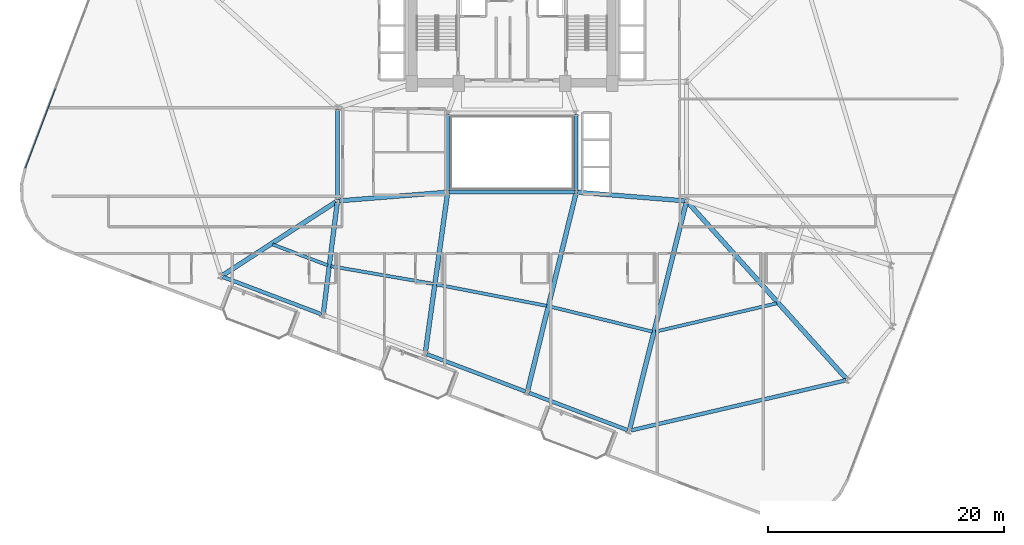
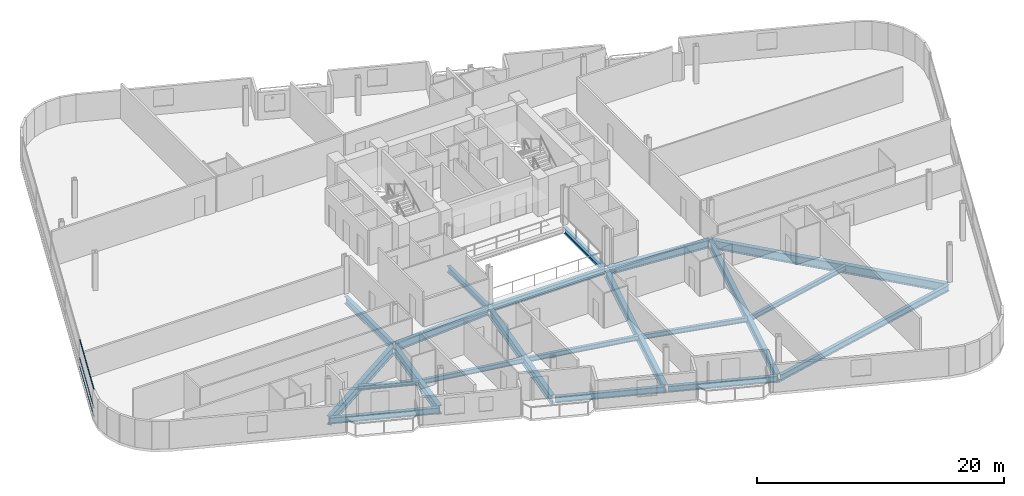
# One storey, part 3 of 26: 21 beams, 3 members, 1 element without a shape of its own.
"""IFC4 building model written with IfcOpenShell, lengths in metres."""

from ifc_helpers import new_model, si_unit, direction, frame, origin, origin_2d, place, context, subcontext, project, spatial, hollow_rectangle, i_section, extrude, material, layer, layer_set, material_profile, profile_set, type_object, element, aggregate, save


model = new_model("IFC4")

# Units and contexts
model_context = context("Model", 3, precision=1e-05, world=origin(), true_north=direction((0.0, 1.0)))
body_context = subcontext(model_context, "Body", "Model", "MODEL_VIEW")
ifc_project = project(units=[si_unit("LENGTHUNIT", "METRE"), si_unit("AREAUNIT", "SQUARE_METRE"), si_unit("VOLUMEUNIT", "CUBIC_METRE"), si_unit("PLANEANGLEUNIT", "RADIAN"), si_unit("MASSUNIT", "GRAM", prefix="KILO")], contexts=[model_context])

# Site, building, storey
site_placement = place(None, origin())
site = spatial("IfcSite", under=ifc_project, at=site_placement, CompositionType="ELEMENT")
building_placement = place(site_placement, origin())
building = spatial("IfcBuilding", under=site, at=building_placement, Name="Varnelok Gate Tower", CompositionType="ELEMENT")
storey_placement = place(building_placement, frame((0.0, 0.0, 109.5)))
storey = spatial("IfcBuildingStorey", under=building, at=storey_placement, Name="L27", CompositionType="ELEMENT", Elevation=109.5)

# Beams
ifc_material_1 = material(Name="Structural Steel ASTM A992 Grade 50", Category="steel")
ifc_material_profile_1 = material_profile(ifc_material_1, i_section(OverallWidth=0.280029296875, OverallDepth=0.462890625, WebThickness=0.0107421875, FlangeThickness=0.017333984375, FilletRadius=0.014892578125, at=origin_2d()), Name="W18X76")
ifc_profile_set_1 = profile_set([ifc_material_profile_1], Name="Structural Steel ASTM A992 Grade 50")
beam_type_1 = type_object("IfcBeamType", Name="BM-JST-W18X76", PredefinedType="JOIST", material=ifc_profile_set_1)
beam_1_placement = place(storey_placement, frame((18.911376953125, 15.11181640625, -0.4814453125), z_axis=(0.935207052986, -0.354101352786, 0.0), x_axis=(0.354101352786, 0.935207052986, 0.0)))
element("IfcBeam", 1, at=beam_1_placement, inside=storey, type_object=beam_type_1, Name="L27 Sector Floor Joist 1", PredefinedType="JOIST", context=body_context, shape_type="SweptSolid", body=[
    extrude(i_section(OverallWidth=0.280029296875, OverallDepth=0.462890625, WebThickness=0.0107421875, FlangeThickness=0.017333984375, FilletRadius=0.014892578125, at=origin_2d()), origin(), (0.0, 0.0, 1.0), 4.992431640625),
])
beam_2_placement = place(storey_placement, frame((23.849365234375, 13.270751953125, -0.4814453125), z_axis=(0.985440255027, -0.170022068484, 0.0), x_axis=(0.170022068484, 0.985440255027, 0.0)))
element("IfcBeam", 2, at=beam_2_placement, inside=storey, type_object=beam_type_1, Name="L27 Sector Floor Joist 2", PredefinedType="JOIST", context=body_context, shape_type="SweptSolid", body=[
    extrude(i_section(OverallWidth=0.280029296875, OverallDepth=0.462890625, WebThickness=0.0107421875, FlangeThickness=0.017333984375, FilletRadius=0.014892578125, at=origin_2d()), origin(), (0.0, 0.0, 1.0), 8.8037109375),
])
beam_3_placement = place(storey_placement, frame((32.80029296875, 11.723388671875, -0.4814453125), z_axis=(0.981678750439, -0.190543514549, 0.0), x_axis=(0.190543514549, 0.981678750439, 0.0)))
element("IfcBeam", 3, at=beam_3_placement, inside=storey, type_object=beam_type_1, Name="L27 Sector Floor Joist 3", PredefinedType="JOIST", context=body_context, shape_type="SweptSolid", body=[
    extrude(i_section(OverallWidth=0.280029296875, OverallDepth=0.462890625, WebThickness=0.0107421875, FlangeThickness=0.017333984375, FilletRadius=0.014892578125, at=origin_2d()), origin(), (0.0, 0.0, 1.0), 9.517333984375),
])
beam_4_placement = place(storey_placement, frame((42.416748046875, 9.85009765625, -0.4814453125), z_axis=(0.971369027211, -0.237575699463, 0.0), x_axis=(0.237575699463, 0.971369027211, 0.0)))
element("IfcBeam", 4, at=beam_4_placement, inside=storey, type_object=beam_type_1, Name="L27 Sector Floor Joist 4", PredefinedType="JOIST", context=body_context, shape_type="SweptSolid", body=[
    extrude(i_section(OverallWidth=0.280029296875, OverallDepth=0.462890625, WebThickness=0.0107421875, FlangeThickness=0.017333984375, FilletRadius=0.014892578125, at=origin_2d()), origin(), (0.0, 0.0, 1.0), 8.935302734375),
])
beam_5_placement = place(storey_placement, frame((51.368408203125, 7.725830078125, -0.4814453125), z_axis=(0.973875869897, 0.227081020854, 0.0), x_axis=(-0.227081020854, 0.973875869897, 0.0)))
element("IfcBeam", 5, at=beam_5_placement, inside=storey, type_object=beam_type_1, Name="L27 Sector Floor Joist 5", PredefinedType="JOIST", context=body_context, shape_type="SweptSolid", body=[
    extrude(i_section(OverallWidth=0.280029296875, OverallDepth=0.462890625, WebThickness=0.0107421875, FlangeThickness=0.017333984375, FilletRadius=0.014892578125, at=origin_2d()), origin(), (0.0, 0.0, 1.0), 10.543701171875),
])
ifc_material_profile_2 = material_profile(ifc_material_1, i_section(OverallWidth=0.35498046875, OverallDepth=0.696044921875, WebThickness=0.015380859375, FlangeThickness=0.02490234375, FilletRadius=0.02001953125, at=origin_2d()), Name="W27X146")
ifc_profile_set_2 = profile_set([ifc_material_profile_2], Name="Structural Steel ASTM A992 Grade 50")
beam_type_2 = type_object("IfcBeamType", Name="BM-PRI-W27X146", PredefinedType="BEAM", material=ifc_profile_set_2)
beam_6_placement = place(storey_placement, frame((24.39990234375, 18.919921875, -0.597900390625), z_axis=(0.0, 1.0, 0.0), x_axis=(-1.0, 0.0, 0.0)))
element("IfcBeam", 6, at=beam_6_placement, inside=storey, type_object=beam_type_2, Name="L27 Core-Atrium Spine Beam 16", PredefinedType="BEAM", context=body_context, shape_type="SweptSolid", body=[
    extrude(i_section(OverallWidth=0.35498046875, OverallDepth=0.696044921875, WebThickness=0.015380859375, FlangeThickness=0.02490234375, FilletRadius=0.02001953125, at=origin_2d()), origin(), (0.0, 0.0, 1.0), 7.64013671875),
])
ifc_material_profile_3 = material_profile(ifc_material_1, i_section(OverallWidth=0.381103515625, OverallDepth=0.77294921875, WebThickness=0.0166015625, FlangeThickness=0.027099609375, FilletRadius=0.02197265625, at=origin_2d()), Name="W30X173")
ifc_profile_set_3 = profile_set([ifc_material_profile_3], Name="Structural Steel ASTM A992 Grade 50")
beam_type_3 = type_object("IfcBeamType", Name="BM-PRI-W30X173", PredefinedType="BEAM", material=ifc_profile_set_3)
for number, where, z_axis, x_axis, name in (
    (7, (24.51953125, 18.8095703125, -0.636474609375), (0.996799206292, 0.07994587128, 0.0), (-0.07994587128, 0.996799206292, 0.0), "L27 Core-Atrium Spine Beam 14"),
    (8, (44.76953125, 19.540283203125, -0.636474609375), (0.996799206292, -0.07994587128, 0.0), (0.07994587128, 0.996799206292, 0.0), "L27 Core-Atrium Spine Beam 18"),
):
    element("IfcBeam", number, at=place(storey_placement, frame(where, z_axis=z_axis, x_axis=x_axis)), inside=storey, type_object=beam_type_3, Name=name, PredefinedType="BEAM", context=body_context, shape_type="SweptSolid", body=[
        extrude(i_section(OverallWidth=0.381103515625, OverallDepth=0.77294921875, WebThickness=0.0166015625, FlangeThickness=0.027099609375, FilletRadius=0.02197265625, at=origin_2d()), origin(), (0.0, 0.0, 1.0), 9.14013671875),
    ])
ifc_material_profile_4 = material_profile(ifc_material_1, i_section(OverallWidth=0.39892578125, OverallDepth=0.85498046875, WebThickness=0.018310546875, FlangeThickness=0.029296875, FilletRadius=0.02392578125, at=origin_2d()), Name="W33X201")
ifc_profile_set_4 = profile_set([ifc_material_profile_4], Name="Structural Steel ASTM A992 Grade 50")
beam_type_4 = type_object("IfcBeamType", Name="BM-PRI-W33X201", PredefinedType="BEAM", material=ifc_profile_set_4)
beam_7_placement = place(storey_placement, frame((24.274169921875, 18.718505859375, -0.677490234375), z_axis=(-0.839398998687, -0.543515704468, 0.0), x_axis=(0.543515704468, -0.839398998687, 0.0)))
element("IfcBeam", 9, at=beam_7_placement, inside=storey, type_object=beam_type_4, Name="L27 Radial Floor Girder 1", PredefinedType="BEAM", context=body_context, shape_type="SweptSolid", body=[
    extrude(i_section(OverallWidth=0.39892578125, OverallDepth=0.85498046875, WebThickness=0.018310546875, FlangeThickness=0.029296875, FilletRadius=0.02392578125, at=origin_2d()), origin(), (0.0, 0.0, 1.0), 11.4453125),
])
beam_8_placement = place(storey_placement, frame((24.38134765625, 18.651123046875, -0.677490234375), z_axis=(-0.124114361033, -0.992267920163, 0.0), x_axis=(0.992267920163, -0.124114361033, 0.0)))
element("IfcBeam", 10, at=beam_8_placement, inside=storey, type_object=beam_type_4, Name="L27 Radial Floor Girder 2", PredefinedType="BEAM", context=body_context, shape_type="SweptSolid", body=[
    extrude(i_section(OverallWidth=0.39892578125, OverallDepth=0.85498046875, WebThickness=0.018310546875, FlangeThickness=0.029296875, FilletRadius=0.02392578125, at=origin_2d()), origin(), (0.0, 0.0, 1.0), 9.43408203125),
])
beam_9_placement = place(storey_placement, frame((33.729248046875, 19.4013671875, -0.677490234375), z_axis=(-0.138054699139, -0.990424605937, 0.0), x_axis=(0.990424605937, -0.138054699139, 0.0)))
element("IfcBeam", 11, at=beam_9_placement, inside=storey, type_object=beam_type_4, Name="L27 Radial Floor Girder 3", PredefinedType="BEAM", context=body_context, shape_type="SweptSolid", body=[
    extrude(i_section(OverallWidth=0.39892578125, OverallDepth=0.85498046875, WebThickness=0.018310546875, FlangeThickness=0.029296875, FilletRadius=0.02392578125, at=origin_2d()), origin(), (0.0, 0.0, 1.0), 13.51611328125),
])
beam_10_placement = place(storey_placement, frame((44.6142578125, 19.404296875, -0.677490234375), z_axis=(-0.238054163128, -0.971251880522, 0.0), x_axis=(0.971251880522, -0.238054163128, 0.0)))
element("IfcBeam", 12, at=beam_10_placement, inside=storey, type_object=beam_type_4, Name="L27 Radial Floor Girder 4", PredefinedType="BEAM", context=body_context, shape_type="SweptSolid", body=[
    extrude(i_section(OverallWidth=0.39892578125, OverallDepth=0.85498046875, WebThickness=0.018310546875, FlangeThickness=0.029296875, FilletRadius=0.02392578125, at=origin_2d()), origin(), (0.0, 0.0, 1.0), 17.160888671875),
])
beam_11_placement = place(storey_placement, frame((53.963623046875, 18.654541015625, -0.677490234375), z_axis=(-0.241818229902, -0.970321567156, 0.0), x_axis=(0.970321567156, -0.241818229902, 0.0)))
element("IfcBeam", 13, at=beam_11_placement, inside=storey, type_object=beam_type_4, Name="L27 Radial Floor Girder 5", PredefinedType="BEAM", context=body_context, shape_type="SweptSolid", body=[
    extrude(i_section(OverallWidth=0.39892578125, OverallDepth=0.85498046875, WebThickness=0.018310546875, FlangeThickness=0.029296875, FilletRadius=0.02392578125, at=origin_2d()), origin(), (0.0, 0.0, 1.0), 19.7802734375),
])
beam_12_placement = place(storey_placement, frame((54.100341796875, 18.6884765625, -0.677490234375), z_axis=(0.668462619128, -0.743745740713, 0.0), x_axis=(0.743745740713, 0.668462619128, 0.0)))
element("IfcBeam", 14, at=beam_12_placement, inside=storey, type_object=beam_type_4, Name="L27 Radial Floor Girder 6", PredefinedType="BEAM", context=body_context, shape_type="SweptSolid", body=[
    extrude(i_section(OverallWidth=0.39892578125, OverallDepth=0.85498046875, WebThickness=0.018310546875, FlangeThickness=0.029296875, FilletRadius=0.02392578125, at=origin_2d()), origin(), (0.0, 0.0, 1.0), 20.099853515625),
])
ifc_material_profile_5 = material_profile(ifc_material_1, i_section(OverallWidth=0.323974609375, OverallDepth=0.611083984375, WebThickness=0.0126953125, FlangeThickness=0.01904296875, FilletRadius=0.01806640625, at=origin_2d()), Name="W24X104")
ifc_profile_set_5 = profile_set([ifc_material_profile_5], Name="Structural Steel ASTM A992 Grade 50")
beam_type_5 = type_object("IfcBeamType", Name="BM-SPN-W24X104", PredefinedType="SPANDREL", material=ifc_profile_set_5)
beam_13_placement = place(storey_placement, frame((33.8701171875, 19.550048828125, -0.555419921875), z_axis=(1.0, 0.0, 0.0), x_axis=(0.0, 1.0, 0.0)))
element("IfcBeam", 15, at=beam_13_placement, inside=storey, type_object=beam_type_5, Name="L27 Core-Atrium Spine Beam 8", PredefinedType="SPANDREL", context=body_context, shape_type="SweptSolid", body=[
    extrude(i_section(OverallWidth=0.323974609375, OverallDepth=0.611083984375, WebThickness=0.0126953125, FlangeThickness=0.01904296875, FilletRadius=0.01806640625, at=origin_2d()), origin(), (0.0, 0.0, 1.0), 10.659912109375),
])
for number, where, z_axis, x_axis, name in (
    (16, (33.75, 19.669921875, -0.555419921875), (0.0, 1.0, 0.0), (-1.0, 0.0, 0.0), "L27 Core-Atrium Spine Beam 10"),
    (17, (44.64990234375, 19.669921875, -0.555419921875), (0.0, 1.0, 0.0), (-1.0, 0.0, 0.0), "L27 Core-Atrium Spine Beam 11"),
):
    element("IfcBeam", number, at=place(storey_placement, frame(where, z_axis=z_axis, x_axis=x_axis)), inside=storey, type_object=beam_type_5, Name=name, PredefinedType="SPANDREL", context=body_context, shape_type="SweptSolid", body=[
        extrude(i_section(OverallWidth=0.323974609375, OverallDepth=0.611083984375, WebThickness=0.0126953125, FlangeThickness=0.01904296875, FilletRadius=0.01806640625, at=origin_2d()), origin(), (0.0, 0.0, 1.0), 6.4599609375),
    ])
for number, where, z_axis, x_axis, name in (
    (18, (14.681396484375, 12.363037109375, -0.555419921875), (0.935225969099, -0.354051389947, 0.0), (0.354051389947, 0.935225969099, 0.0), "L27 Perimeter Spandrel Beam 1"),
    (19, (31.98291015625, 5.81298828125, -0.555419921875), (0.935216936382, -0.354075248928, 0.0), (0.354075248928, 0.935216936382, 0.0), "L27 Perimeter Spandrel Beam 3"),
    (20, (40.6337890625, 2.537841796875, -0.555419921875), (0.935216936382, -0.354075248928, 0.0), (0.354075248928, 0.935216936382, 0.0), "L27 Perimeter Spandrel Beam 4"),
):
    element("IfcBeam", number, at=place(storey_placement, frame(where, z_axis=z_axis, x_axis=x_axis)), inside=storey, type_object=beam_type_5, Name=name, PredefinedType="SPANDREL", context=body_context, shape_type="SweptSolid", body=[
        extrude(i_section(OverallWidth=0.323974609375, OverallDepth=0.611083984375, WebThickness=0.0126953125, FlangeThickness=0.01904296875, FilletRadius=0.01806640625, at=origin_2d()), origin(), (0.0, 0.0, 1.0), 8.949951171875),
    ])
beam_14_placement = place(storey_placement, frame((49.290283203125, -0.64990234375, -0.555419921875), z_axis=(0.973880317885, 0.227061944052, 0.0), x_axis=(-0.227061944052, 0.973880317885, 0.0)))
element("IfcBeam", 21, at=beam_14_placement, inside=storey, type_object=beam_type_5, Name="L27 Perimeter Spandrel Beam 5", PredefinedType="SPANDREL", context=body_context, shape_type="SweptSolid", body=[
    extrude(i_section(OverallWidth=0.323974609375, OverallDepth=0.611083984375, WebThickness=0.0126953125, FlangeThickness=0.01904296875, FilletRadius=0.01806640625, at=origin_2d()), origin(), (0.0, 0.0, 1.0), 18.688232421875),
])

# Curtain wall, members
ifc_material_2 = material(Name="Anodized Aluminum Alloy 6063-T6", Category="aluminium")
ifc_layer = layer(ifc_material_2, 0.179931640625)
ifc_layer_set = layer_set([ifc_layer], Name="Anodized Aluminum Alloy 6063-T6")
curtain_wall_type = type_object("IfcCurtainWallType", Name="CW3-HOTEL-VISION", PredefinedType="USERDEFINED", material=ifc_layer_set)
curtain_wall_placement = place(storey_placement, origin())
curtain_wall = element("IfcCurtainWall", 22, at=curtain_wall_placement, inside=storey, type_object=curtain_wall_type, Name="L27 West End Vision Curtain Wall", ObjectType="UNITISED CURTAIN WALL", PredefinedType="USERDEFINED")
ifc_material_profile_6 = material_profile(ifc_material_2, hollow_rectangle(XDim=0.06494140625, YDim=0.159912109375, WallThickness=0.00390625, at=origin_2d()), Name="ALU160X65X4")
ifc_profile_set_6 = profile_set([ifc_material_profile_6], Name="Anodized Aluminum Alloy 6063-T6")
member_type = type_object("IfcMemberType", Name="CW-TRAN-160", PredefinedType="USERDEFINED", material=ifc_profile_set_6)
member_1_placement = place(storey_placement, frame((-2.031982421875, 21.625732421875, 0.032470703125), z_axis=(0.35408846525, 0.935211932546, 0.0), x_axis=(-0.935211932546, 0.35408846525, 0.0)))
member_1 = element("IfcMember", 23, at=member_1_placement, type_object=member_type, Name="CW3 transom 1.1", ObjectType="TRANSOM", PredefinedType="USERDEFINED", context=body_context, shape_type="SweptSolid", body=[
    extrude(hollow_rectangle(XDim=0.06494140625, YDim=0.159912109375, WallThickness=0.00390625, at=origin_2d()), origin(), (0.0, 0.0, 1.0), 7.142333984375),
])
member_2_placement = place(storey_placement, frame((-2.031982421875, 21.625732421875, 0.89990234375), z_axis=(0.35408846525, 0.935211932546, 0.0), x_axis=(-0.935211932546, 0.35408846525, 0.0)))
member_2 = element("IfcMember", 24, at=member_2_placement, type_object=member_type, Name="CW3 transom 1.2", ObjectType="TRANSOM", PredefinedType="USERDEFINED", context=body_context, shape_type="SweptSolid", body=[
    extrude(hollow_rectangle(XDim=0.06494140625, YDim=0.159912109375, WallThickness=0.00390625, at=origin_2d()), origin(), (0.0, 0.0, 1.0), 7.142333984375),
])
member_3_placement = place(storey_placement, frame((-2.031982421875, 21.625732421875, 2.697509765625), z_axis=(0.35408846525, 0.935211932546, 0.0), x_axis=(-0.935211932546, 0.35408846525, 0.0)))
member_3 = element("IfcMember", 25, at=member_3_placement, type_object=member_type, Name="CW3 transom 1.3", ObjectType="TRANSOM", PredefinedType="USERDEFINED", context=body_context, shape_type="SweptSolid", body=[
    extrude(hollow_rectangle(XDim=0.06494140625, YDim=0.159912109375, WallThickness=0.00390625, at=origin_2d()), origin(), (0.0, 0.0, 1.0), 7.142333984375),
])
aggregate(curtain_wall, [member_1, member_2, member_3])

save(model, "model.ifc")
